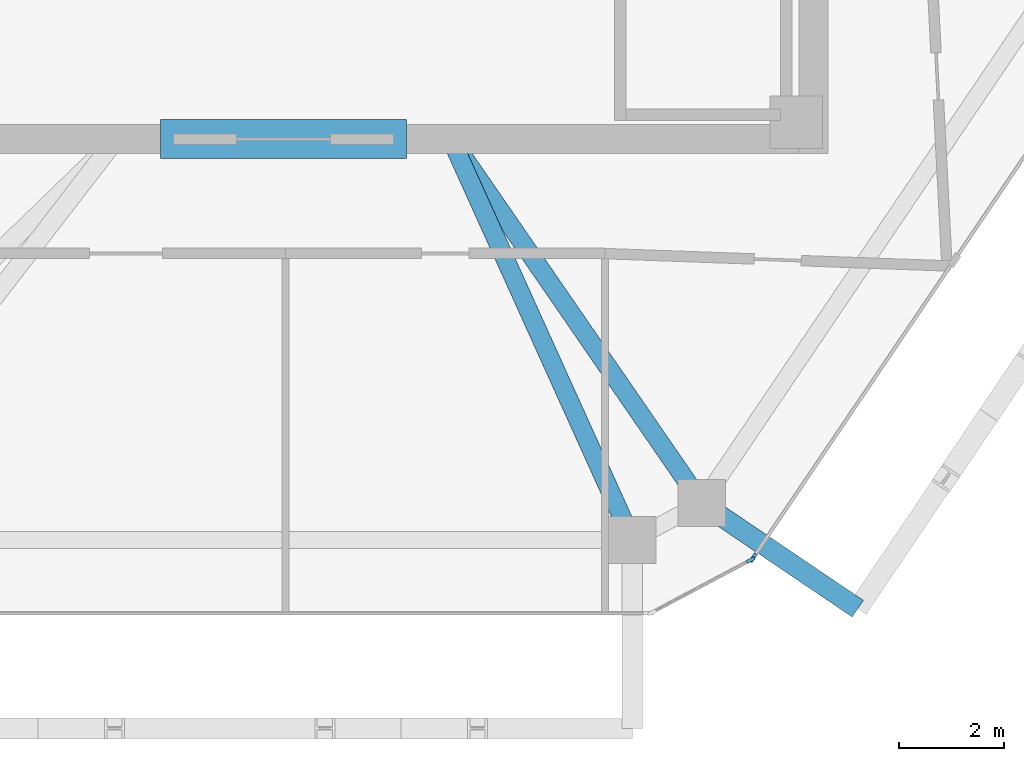
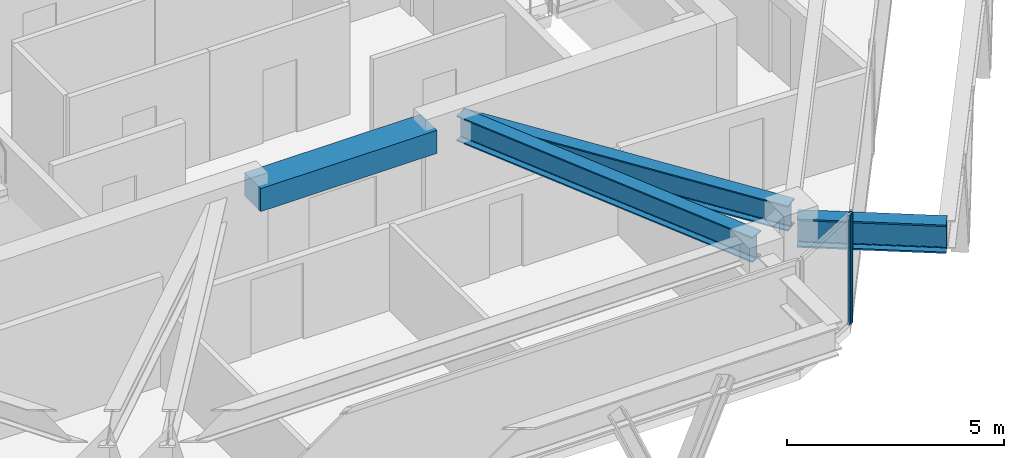
# One storey, part 3 of 11: 4 beams, 2 members, 2 elements without a shape of their own.
"""IFC4 building model written with IfcOpenShell, lengths in metres."""

from ifc_helpers import new_model, si_unit, direction, frame, origin, origin_2d, place, context, subcontext, project, spatial, rectangle, i_section, extrude, source, transform, mapped, material, layer, layer_set, material_profile, profile_set, type_object, type_shapes, element, aggregate, save


model = new_model("IFC4")

# Units and contexts
model_context = context("Model", 3, precision=1e-05, world=origin(), true_north=direction((0.0, 1.0)))
body_context = subcontext(model_context, "Body", "Model", "MODEL_VIEW")
ifc_project = project(units=[si_unit("LENGTHUNIT", "METRE"), si_unit("AREAUNIT", "SQUARE_METRE"), si_unit("VOLUMEUNIT", "CUBIC_METRE"), si_unit("PLANEANGLEUNIT", "RADIAN"), si_unit("MASSUNIT", "GRAM", prefix="KILO")], contexts=[model_context])

# Site, building, storey
site_placement = place(None, origin())
site = spatial("IfcSite", under=ifc_project, at=site_placement, CompositionType="ELEMENT")
building_placement = place(site_placement, origin())
building = spatial("IfcBuilding", under=site, at=building_placement, Name="Durnholm Broadcast Tower", CompositionType="ELEMENT")
storey_placement = place(building_placement, frame((0.0, 0.0, 264.89990234375)))
storey = spatial("IfcBuildingStorey", under=building, at=storey_placement, Name="L74", CompositionType="ELEMENT", Elevation=264.89990234375)

# Beams
ifc_material_1 = material(Name="Concrete C70/85", Category="concrete")
ifc_material_profile_1 = material_profile(ifc_material_1, rectangle(XDim=0.75, YDim=0.64990234375, at=origin_2d()), Name="RC750X650")
ifc_profile_set_1 = profile_set([ifc_material_profile_1], Name="Concrete C70/85")
beam_type_1 = type_object("IfcBeamType", Name="BM-CB-RC650", PredefinedType="LINTEL", material=ifc_profile_set_1)
shared_shape_1 = source(origin(), body_context, "Body", "SweptSolid", [
    extrude(rectangle(XDim=0.75, YDim=0.64990234375, at=origin_2d()), origin(), (0.0, 0.0, 1.0), 4.7001953125),
])
type_shapes(beam_type_1, [shared_shape_1])
beam_1_placement = place(storey_placement, frame((-2.35009765625, -8.125, 2.77001953125), z_axis=(1.0, 0.0, 0.0), x_axis=(0.0, 1.0, 0.0)))
element("IfcBeam", 1, at=beam_1_placement, inside=storey, type_object=beam_type_1, Name="L74 south core coupling lintel beam CB-S", PredefinedType="LINTEL", context=body_context, shape_type="MappedRepresentation", body=[
    mapped(shared_shape_1, transform((0.0, 0.0, 0.0), x_axis=(1.0, 0.0, 0.0), y_axis=(0.0, 1.0, 0.0), z_axis=(0.0, 0.0, 1.0), scale=1.0)),
])
ifc_material_2 = material(Name="Steel ASTM A992 Grade 50", Category="steel")
ifc_material_profile_2 = material_profile(ifc_material_2, i_section(OverallWidth=0.385009765625, OverallDepth=0.802978515625, WebThickness=0.023681640625, FlangeThickness=0.0419921875, FilletRadius=0.032958984375, at=origin_2d()), Name="W30X261")
ifc_profile_set_2 = profile_set([ifc_material_profile_2], Name="Steel ASTM A992 Grade 50")
beam_type_2 = type_object("IfcBeamType", Name="BM-EXO-TIE", PredefinedType="USERDEFINED", material=ifc_profile_set_2)
shared_shape_2 = source(origin(), body_context, "Body", "SweptSolid", [
    extrude(i_section(OverallWidth=0.385009765625, OverallDepth=0.802978515625, WebThickness=0.023681640625, FlangeThickness=0.0419921875, FilletRadius=0.032958984375, at=origin_2d()), origin(), (0.0, 0.0, 1.0), 3.4560546875),
])
type_shapes(beam_type_2, [shared_shape_2])
beam_2_placement = place(storey_placement, frame((8.110107421875, -15.161865234375, 2.3486328125), z_axis=(0.828468499792, -0.560035663911, 0.0), x_axis=(0.560035663911, 0.828468499792, 0.0)))
element("IfcBeam", 2, at=beam_2_placement, inside=storey, type_object=beam_type_2, Name="L74 exoskeleton stand-off tie bracket F2.1", ObjectType="GIRDER", PredefinedType="USERDEFINED", context=body_context, shape_type="MappedRepresentation", body=[
    mapped(shared_shape_2, transform((0.0, 0.0, 0.0), x_axis=(1.0, 0.0, 0.0), y_axis=(0.0, 1.0, 0.0), z_axis=(0.0, 0.0, 1.0), scale=1.0)),
])
ifc_material_profile_3 = material_profile(ifc_material_2, i_section(OverallWidth=0.3564453125, OverallDepth=0.713623046875, WebThickness=0.01904296875, FlangeThickness=0.033935546875, FilletRadius=0.030517578125, at=origin_2d()), Name="W27X194")
ifc_profile_set_3 = profile_set([ifc_material_profile_3], Name="Steel ASTM A992 Grade 50")
beam_type_3 = type_object("IfcBeamType", Name="STL-GR-W27X194", PredefinedType="USERDEFINED", material=ifc_profile_set_3)
shared_shape_3 = source(origin(), body_context, "Body", "SweptSolid", [
    extrude(i_section(OverallWidth=0.3564453125, OverallDepth=0.713623046875, WebThickness=0.01904296875, FlangeThickness=0.033935546875, FilletRadius=0.030517578125, at=origin_2d()), origin(), (0.0, 0.0, 1.0), 8.446533203125),
])
beam_3_placement = place(storey_placement, frame((3.199951171875, -8.125, 2.728271484375), z_axis=(0.567216806915, -0.823568511997, 0.0), x_axis=(0.823568511997, 0.567216806915, 0.0)))
element("IfcBeam", 3, at=beam_3_placement, inside=storey, type_object=beam_type_3, Name="L74 radial primary floor girder 10", ObjectType="GIRDER", PredefinedType="USERDEFINED", context=body_context, shape_type="MappedRepresentation", body=[
    mapped(shared_shape_3, transform((0.0, 0.0, 0.0), x_axis=(1.0, 0.0, 0.0), y_axis=(0.0, 1.0, 0.0), z_axis=(0.0, 0.0, 1.0), scale=1.0)),
])
shared_shape_4 = source(origin(), body_context, "Body", "SweptSolid", [
    extrude(i_section(OverallWidth=0.3564453125, OverallDepth=0.713623046875, WebThickness=0.01904296875, FlangeThickness=0.033935546875, FilletRadius=0.030517578125, at=origin_2d()), origin(), (0.0, 0.0, 1.0), 8.407470703125),
])
type_shapes(beam_type_3, [shared_shape_3, shared_shape_4])
beam_4_placement = place(storey_placement, frame((3.199951171875, -8.125, 2.728271484375), z_axis=(0.411992813642, -0.911187094678, 0.0), x_axis=(0.911187094678, 0.411992813642, 0.0)))
element("IfcBeam", 4, at=beam_4_placement, inside=storey, type_object=beam_type_3, Name="L74 radial primary floor girder 11", ObjectType="GIRDER", PredefinedType="USERDEFINED", context=body_context, shape_type="MappedRepresentation", body=[
    mapped(shared_shape_4, transform((0.0, 0.0, 0.0), x_axis=(1.0, 0.0, 0.0), y_axis=(0.0, 1.0, 0.0), z_axis=(0.0, 0.0, 1.0), scale=1.0)),
])

# Curtain wall, member
ifc_material_3 = material(Name="Aluminium and Solar Control IGU", Category="aluminium")
ifc_layer_1 = layer(ifc_material_3, 0.1650390625)
ifc_layer_set_1 = layer_set([ifc_layer_1], Name="Aluminium and Solar Control IGU")
curtain_wall_type_1 = type_object("IfcCurtainWallType", Name="CW-SYS-5", PredefinedType="NOTDEFINED", material=ifc_layer_set_1)
curtain_wall_1_placement = place(storey_placement, origin())
curtain_wall_1 = element("IfcCurtainWall", 5, at=curtain_wall_1_placement, inside=storey, type_object=curtain_wall_type_1, Name="L74 curtain wall CW-CORNER CW-L74-CRN-09", PredefinedType="NOTDEFINED")
ifc_material_4 = material(Name="Aluminium 6063-T6", Category="aluminium")
ifc_material_profile_4 = material_profile(ifc_material_4, rectangle(XDim=0.06494140625, YDim=0.1650390625, at=origin_2d()), Name="CWM65X165")
ifc_profile_set_4 = profile_set([ifc_material_profile_4], Name="Aluminium 6063-T6")
member_type_1 = type_object("IfcMemberType", Name="CW-SYS-5-MUL", PredefinedType="MULLION", material=ifc_profile_set_4)
shared_shape_5 = source(origin(), body_context, "Body", "SweptSolid", [
    extrude(rectangle(XDim=0.06494140625, YDim=0.1650390625, at=origin_2d()), origin(), (0.0, 0.0, 1.0), 3.10009765625),
])
type_shapes(member_type_1, [shared_shape_5])
member_1_placement = place(storey_placement, frame((8.9267578125, -16.16943359375, 0.0), z_axis=(0.0, 0.0, 1.0), x_axis=(0.469006771575, -0.883194569853, 0.0)))
member_1 = element("IfcMember", 6, at=member_1_placement, type_object=member_type_1, Name="CW-CORNER mullion 1", PredefinedType="MULLION", context=body_context, shape_type="MappedRepresentation", body=[
    mapped(shared_shape_5, transform((0.0, 0.0, 0.0), x_axis=(1.0, 0.0, 0.0), y_axis=(0.0, 1.0, 0.0), z_axis=(0.0, 0.0, 1.0), scale=1.0)),
])
aggregate(curtain_wall_1, [member_1])

ifc_layer_2 = layer(ifc_material_3, 0.18994140625)
ifc_layer_set_2 = layer_set([ifc_layer_2], Name="Aluminium and Solar Control IGU")
curtain_wall_type_2 = type_object("IfcCurtainWallType", Name="CW-SYS-4", PredefinedType="NOTDEFINED", material=ifc_layer_set_2)
curtain_wall_2_placement = place(storey_placement, origin())
curtain_wall_2 = element("IfcCurtainWall", 7, at=curtain_wall_2_placement, inside=storey, type_object=curtain_wall_type_2, Name="L74 curtain wall CW-Z34-VIS CW-L74-F08", PredefinedType="NOTDEFINED")
ifc_material_profile_5 = material_profile(ifc_material_4, rectangle(XDim=0.070068359375, YDim=0.18994140625, at=origin_2d()), Name="CWM70X190")
ifc_profile_set_5 = profile_set([ifc_material_profile_5], Name="Aluminium 6063-T6")
member_type_2 = type_object("IfcMemberType", Name="CW-SYS-4-MUL", PredefinedType="MULLION", material=ifc_profile_set_5)
shared_shape_6 = source(origin(), body_context, "Body", "SweptSolid", [
    extrude(rectangle(XDim=0.070068359375, YDim=0.18994140625, at=origin_2d()), origin(), (0.0, 0.0, 1.0), 3.10009765625),
])
type_shapes(member_type_2, [shared_shape_6])
member_2_placement = place(storey_placement, frame((8.97509765625, -16.125244140625, 0.0), z_axis=(0.0, 0.0, 1.0), x_axis=(0.828443431662, -0.560072745753, 0.0)))
member_2 = element("IfcMember", 8, at=member_2_placement, type_object=member_type_2, Name="CW-Z34-VIS mullion 2", PredefinedType="MULLION", context=body_context, shape_type="MappedRepresentation", body=[
    mapped(shared_shape_6, transform((0.0, 0.0, 0.0), x_axis=(1.0, 0.0, 0.0), y_axis=(0.0, 1.0, 0.0), z_axis=(0.0, 0.0, 1.0), scale=1.0)),
])
aggregate(curtain_wall_2, [member_2])

save(model, "model.ifc")
